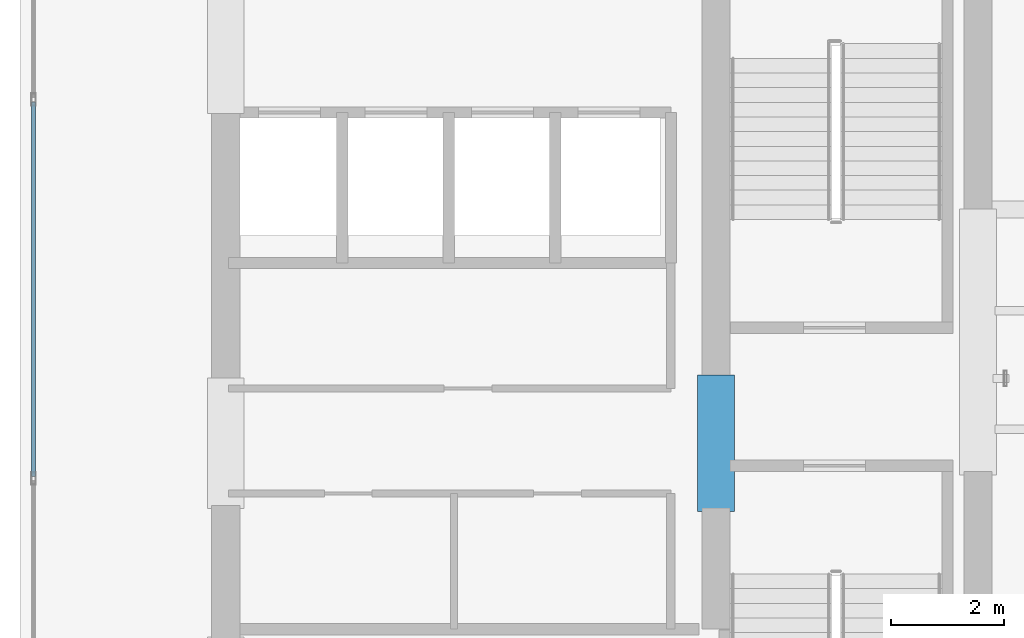
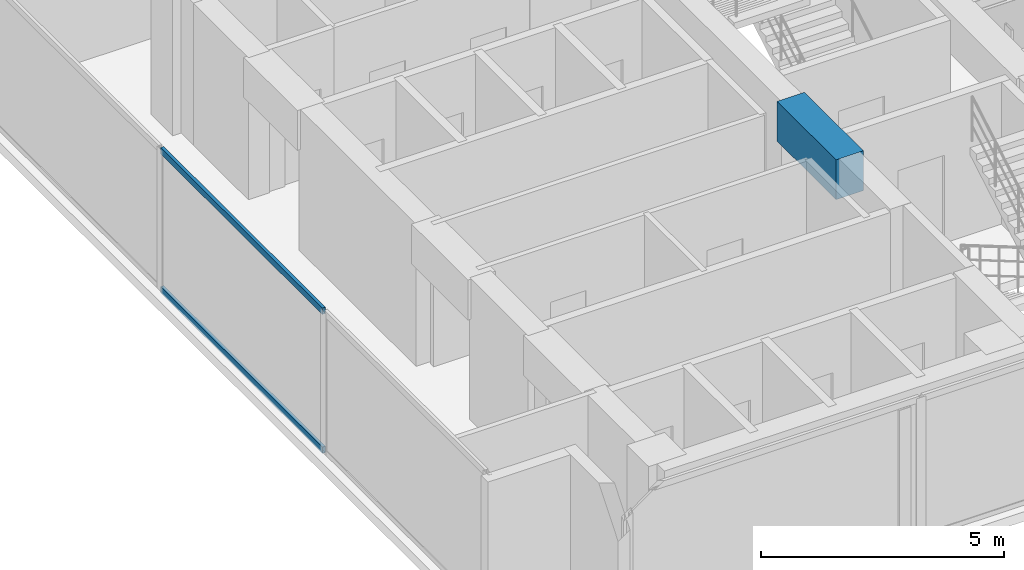
# One storey, part 3 of 23: 2 members, 1 beam, 1 element without a shape of its own.
"""IFC4 building model written with IfcOpenShell, lengths in metres."""

from ifc_helpers import new_model, si_unit, direction, frame, origin, origin_with_axes, origin_2d, place, context, subcontext, project, spatial, rectangle, hollow_rectangle, extrude, source, transform, mapped, material, layer, layer_set, material_profile, profile_set, type_object, element, aggregate, save


model = new_model("IFC4")

# Units and contexts
model_context = context("Model", 3, precision=1e-05, world=origin(), true_north=direction((0.0, 1.0)))
body_context = subcontext(model_context, "Body", "Model", "MODEL_VIEW")
ifc_project = project(units=[si_unit("LENGTHUNIT", "METRE"), si_unit("AREAUNIT", "SQUARE_METRE"), si_unit("VOLUMEUNIT", "CUBIC_METRE"), si_unit("PLANEANGLEUNIT", "RADIAN"), si_unit("MASSUNIT", "GRAM", prefix="KILO")], contexts=[model_context])

# Site, building, storey
site_placement = place(None, origin())
site = spatial("IfcSite", under=ifc_project, at=site_placement, CompositionType="ELEMENT")
building_placement = place(site_placement, origin())
building = spatial("IfcBuilding", under=site, at=building_placement, Name="Kolvaren Waterfront Exchange", CompositionType="ELEMENT")
storey_placement = place(building_placement, frame((0.0, 0.0, 289.39990234375)))
storey = spatial("IfcBuildingStorey", under=building, at=storey_placement, Name="L74", CompositionType="ELEMENT", Elevation=289.39990234375)

# Beam
ifc_material_1 = material(Name="Concrete C60/75", Category="concrete")
ifc_material_profile_1 = material_profile(ifc_material_1, rectangle(XDim=0.64990234375, YDim=1.0, at=origin_2d()), Name="RC-CB-1000x650")
ifc_profile_set_1 = profile_set([ifc_material_profile_1], Name="Concrete C60/75")
beam_type = type_object("IfcBeamType", Name="STR-CB-1000", PredefinedType="SPANDREL", material=ifc_profile_set_1)
beam_placement = place(storey_placement, frame((16.14990234375, 12.0400390625, 3.06005859375), z_axis=(0.0, 1.0, 0.0), x_axis=(-1.0, 0.0, 0.0)))
element("IfcBeam", 1, at=beam_placement, inside=storey, type_object=beam_type, Name="L74 core coupling beam 6", PredefinedType="SPANDREL", context=body_context, shape_type="SweptSolid", body=[
    extrude(rectangle(XDim=0.64990234375, YDim=1.0, at=origin_2d()), origin(), (0.0, 0.0, 1.0), 2.419921875),
])

# Curtain wall, members
ifc_material_2 = material(Name="Anodised aluminium 6063-T6", Category="aluminium")
ifc_layer = layer(ifc_material_2, 0.219970703125, Name="Anodised aluminium 6063-T6")
ifc_layer_set = layer_set([ifc_layer], Name="Anodised aluminium 6063-T6")
curtain_wall_type = type_object("IfcCurtainWallType", Name="ARC-CW-SYS2", PredefinedType="USERDEFINED", material=ifc_layer_set)
curtain_wall_placement = place(storey_placement, origin())
curtain_wall = element("IfcCurtainWall", 2, at=curtain_wall_placement, inside=storey, type_object=curtain_wall_type, Name="L74 stick curtain wall CW2 (CW-L74-W)", ObjectType="STICK CURTAIN WALL", PredefinedType="USERDEFINED")
ifc_material_profile_2 = material_profile(ifc_material_2, hollow_rectangle(XDim=0.074951171875, YDim=0.159912109375, WallThickness=0.00439453125, at=origin_2d()), Name="ALU-TRN-160x75x4.5")
ifc_profile_set_2 = profile_set([ifc_material_profile_2], Name="Anodised aluminium 6063-T6")
member_type = type_object("IfcMemberType", Name="ARC-CWT-160", PredefinedType="USERDEFINED", material=ifc_profile_set_2)
shared_shape = source(origin_with_axes(), body_context, "Body", "SweptSolid", [
    extrude(hollow_rectangle(XDim=0.074951171875, YDim=0.159912109375, WallThickness=0.00439453125, at=origin_2d()), origin(), (0.0, 0.0, 1.0), 6.643798828125),
])
member_1_placement = place(storey_placement, frame((4.0400390625, 12.66357421875, 0.03759765625), z_axis=(0.0, 1.0, 0.0), x_axis=(-1.0, 0.0, 0.0)))
member_1 = element("IfcMember", 3, at=member_1_placement, type_object=member_type, Name="CW2 transom 2.1", ObjectType="TRANSOM", PredefinedType="USERDEFINED", context=body_context, shape_type="MappedRepresentation", body=[
    mapped(shared_shape, transform((0.0, 0.0, 0.0), x_axis=(1.0, 0.0, 0.0), y_axis=(0.0, 1.0, 0.0), z_axis=(0.0, 0.0, 1.0), scale=1.0)),
])
member_2_placement = place(storey_placement, frame((4.0400390625, 12.66357421875, 3.522705078125), z_axis=(0.0, 1.0, 0.0), x_axis=(-1.0, 0.0, 0.0)))
member_2 = element("IfcMember", 4, at=member_2_placement, type_object=member_type, Name="CW2 transom 2.2", ObjectType="TRANSOM", PredefinedType="USERDEFINED", context=body_context, shape_type="MappedRepresentation", body=[
    mapped(shared_shape, transform((0.0, 0.0, 0.0), x_axis=(1.0, 0.0, 0.0), y_axis=(0.0, 1.0, 0.0), z_axis=(0.0, 0.0, 1.0), scale=1.0)),
])
aggregate(curtain_wall, [member_1, member_2])

save(model, "model.ifc")
